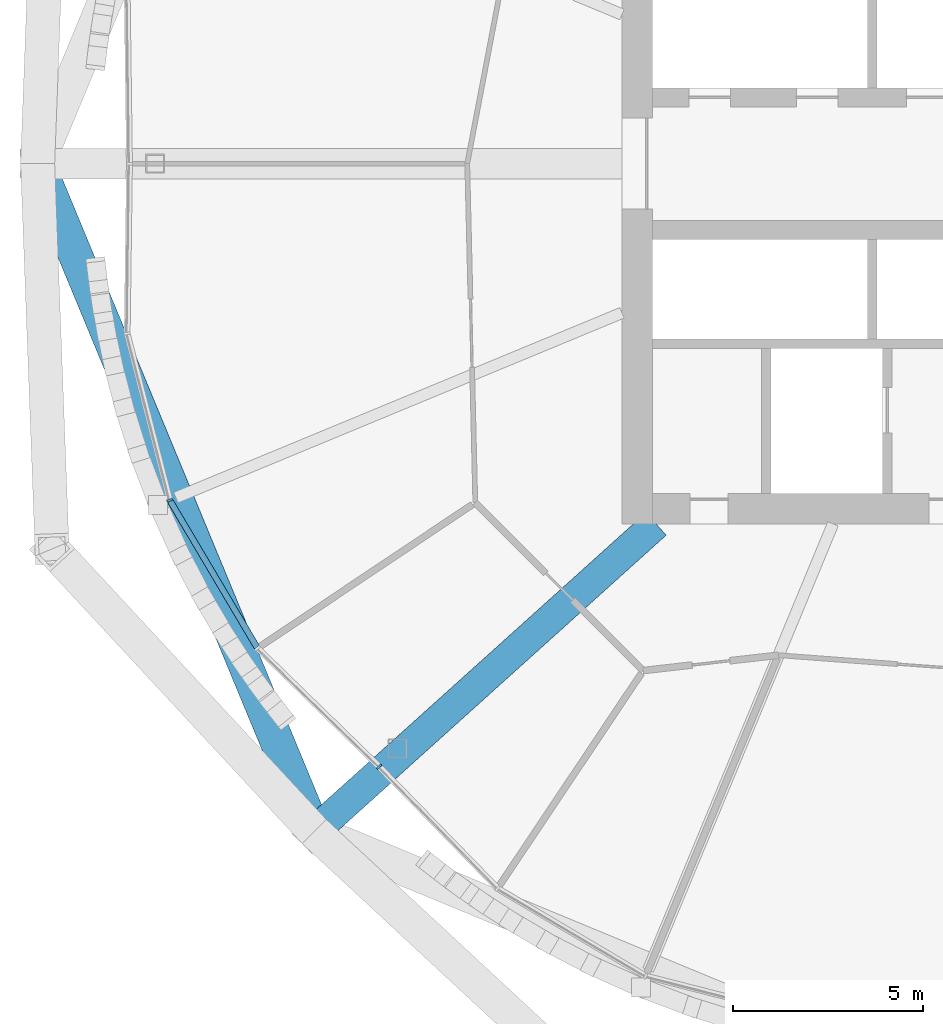
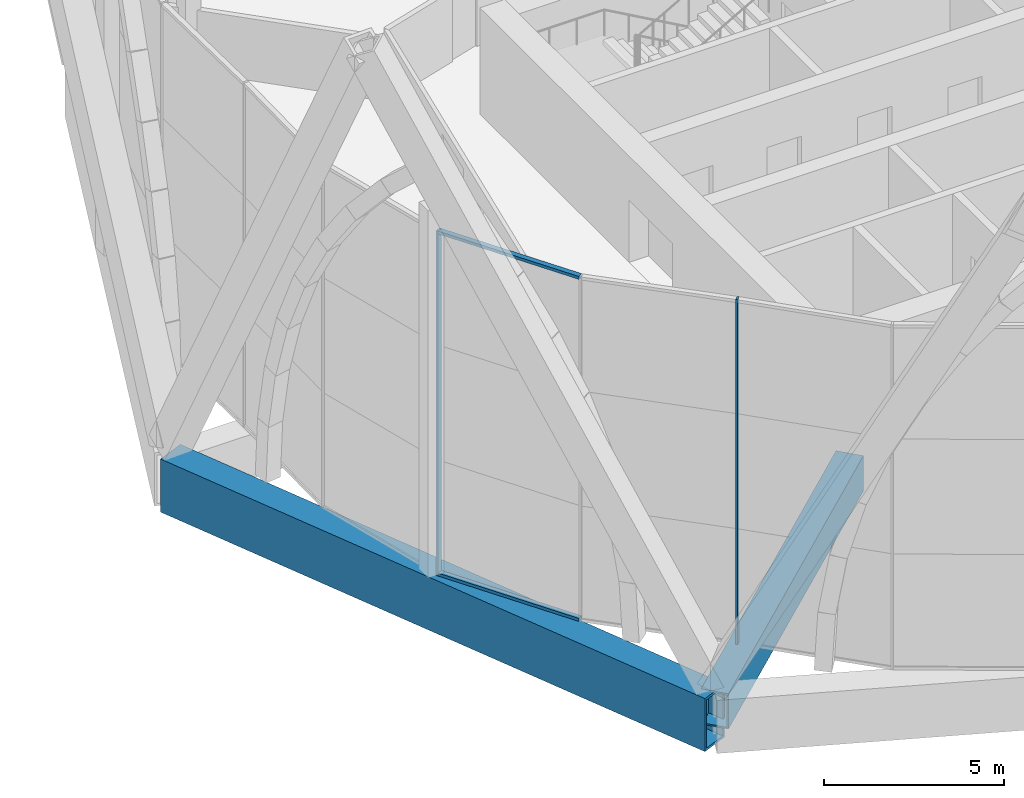
# One storey, part 4 of 37: 4 members, 2 beams, 1 element without a shape of its own.
"""IFC4 building model written with IfcOpenShell, lengths in metres."""

from ifc_helpers import new_model, si_unit, direction, frame, origin, origin_2d, place, context, subcontext, project, spatial, rectangle, hollow_rectangle, extrude, material, material_profile, profile_set, type_object, element, aggregate, save


model = new_model("IFC4")

# Units and contexts
model_context = context("Model", 3, precision=1e-05, world=origin(), true_north=direction((0.0, 1.0)))
body_context = subcontext(model_context, "Body", "Model", "MODEL_VIEW")
ifc_project = project(units=[si_unit("LENGTHUNIT", "METRE"), si_unit("AREAUNIT", "SQUARE_METRE"), si_unit("VOLUMEUNIT", "CUBIC_METRE"), si_unit("PLANEANGLEUNIT", "RADIAN"), si_unit("MASSUNIT", "GRAM", prefix="KILO")], contexts=[model_context])

# Site, building, storey
site_placement = place(None, origin())
site = spatial("IfcSite", under=ifc_project, at=site_placement, CompositionType="ELEMENT")
building_placement = place(site_placement, origin())
building = spatial("IfcBuilding", under=site, at=building_placement, Name="Ogive Gate Towers", CompositionType="ELEMENT")
storey_placement = place(building_placement, frame((0.0, 0.0, 32.39990234375)))
storey = spatial("IfcBuildingStorey", under=building, at=storey_placement, Name="L06", CompositionType="ELEMENT", Elevation=32.39990234375)

# Beam
ifc_material_1 = material(Name="Steel SM460", Category="steel")
ifc_material_profile_1 = material_profile(ifc_material_1, hollow_rectangle(XDim=0.89990234375, YDim=1.800048828125, WallThickness=0.080078125, at=origin_2d()), Name="BX 1800x900x80")
ifc_profile_set_1 = profile_set([ifc_material_profile_1], Name="Steel SM460")
beam_type_1 = type_object("IfcBeamType", Name="Edge girder BX 1800x900x80", PredefinedType="BEAM", material=ifc_profile_set_1)
beam_1_placement = place(storey_placement, frame((-60.909912109375, 0.0, -1.199951171875), z_axis=(0.382680526191, -0.923880736283, 0.0), x_axis=(0.923880736283, 0.382680526191, 0.0)))
element("IfcBeam", 1, at=beam_1_placement, inside=storey, type_object=beam_type_1, Name="T1/L06/SBM024", PredefinedType="BEAM", context=body_context, shape_type="SweptSolid", body=[
    extrude(hollow_rectangle(XDim=0.89990234375, YDim=1.800048828125, WallThickness=0.080078125, at=origin_2d()), origin(), (0.0, 0.0, 1.0), 19.065185546875),
])

# Curtain wall, members
ifc_material_2 = material(Name="Pale metal aluminium", Category="aluminium")
curtain_wall_type = type_object("IfcCurtainWallType", Name="Tower unitised wall, low zone", PredefinedType="NOTDEFINED", material=ifc_material_2)
curtain_wall_placement = place(storey_placement, origin())
curtain_wall = element("IfcCurtainWall", 2, at=curtain_wall_placement, inside=storey, type_object=curtain_wall_type, Name="CW1 T1 ECW05", PredefinedType="NOTDEFINED")
ifc_material_profile_2 = material_profile(ifc_material_2, rectangle(XDim=0.159912109375, YDim=0.06005859375, at=origin_2d()), Name="60 x 160 aluminium box")
ifc_profile_set_2 = profile_set([ifc_material_profile_2], Name="Pale metal aluminium")
member_type_1 = type_object("IfcMemberType", Name="Tower unitised wall, low zone mullion 60 x 160", PredefinedType="MULLION", material=ifc_profile_set_2)
member_1_placement = place(storey_placement, frame((-57.42578125, -8.874755859375, -0.2998046875), z_axis=(0.0, 0.0, 1.0), x_axis=(-0.923879532511, -0.382683432365, 0.0)))
member_1 = element("IfcMember", 3, at=member_1_placement, type_object=member_type_1, Name="CW1 mullion", PredefinedType="MULLION", context=body_context, shape_type="SweptSolid", body=[
    extrude(rectangle(XDim=0.159912109375, YDim=0.06005859375, at=origin_2d()), origin(), (0.0, 0.0, 1.0), 11.699951171875),
])
member_2_placement = place(storey_placement, frame((-51.903076171875, -15.902587890625, -0.2998046875), z_axis=(0.0, 0.0, 1.0), x_axis=(-0.697590403399, -0.716496775349, 0.0)))
member_2 = element("IfcMember", 4, at=member_2_placement, type_object=member_type_1, Name="CW1 mullion", PredefinedType="MULLION", context=body_context, shape_type="SweptSolid", body=[
    extrude(rectangle(XDim=0.159912109375, YDim=0.06005859375, at=origin_2d()), origin(), (0.0, 0.0, 1.0), 11.699951171875),
])
ifc_material_profile_3 = material_profile(ifc_material_2, rectangle(XDim=0.159912109375, YDim=0.10009765625, at=origin_2d()), Name="100 x 160 aluminium box")
ifc_profile_set_3 = profile_set([ifc_material_profile_3], Name="Pale metal aluminium")
member_type_2 = type_object("IfcMemberType", Name="Tower unitised wall, low zone transom 100 x 160", PredefinedType="USERDEFINED", material=ifc_profile_set_3)
member_3_placement = place(storey_placement, frame((-57.41162109375, -8.898193359375, 11.35009765625), z_axis=(0.509842699042, -0.860267645697, 0.0), x_axis=(0.860267645697, 0.509842699042, 0.0)))
member_3 = element("IfcMember", 5, at=member_3_placement, type_object=member_type_2, Name="CW1 transom", ObjectType="TRANSOM", PredefinedType="USERDEFINED", context=body_context, shape_type="SweptSolid", body=[
    extrude(rectangle(XDim=0.159912109375, YDim=0.10009765625, at=origin_2d()), origin(), (0.0, 0.0, 1.0), 4.482666015625),
])
member_4_placement = place(storey_placement, frame((-57.41162109375, -8.898193359375, -0.25), z_axis=(0.509842699042, -0.860267645697, 0.0), x_axis=(0.860267645697, 0.509842699042, 0.0)))
member_4 = element("IfcMember", 6, at=member_4_placement, type_object=member_type_2, Name="CW1 transom", ObjectType="TRANSOM", PredefinedType="USERDEFINED", context=body_context, shape_type="SweptSolid", body=[
    extrude(rectangle(XDim=0.159912109375, YDim=0.10009765625, at=origin_2d()), origin(), (0.0, 0.0, 1.0), 4.482666015625),
])
aggregate(curtain_wall, [member_1, member_3, member_4, member_2])

# Beam
ifc_material_profile_4 = material_profile(ifc_material_1, hollow_rectangle(XDim=0.800048828125, YDim=1.199951171875, WallThickness=0.050048828125, at=origin_2d()), Name="BX 1200x800x50")
ifc_profile_set_4 = profile_set([ifc_material_profile_4], Name="Steel SM460")
beam_type_2 = type_object("IfcBeamType", Name="Transfer radial beam BX 1200x800x50", PredefinedType="BEAM", material=ifc_profile_set_4)
beam_2_placement = place(storey_placement, frame((-44.60009765625, -9.5, -0.89990234375), z_axis=(-0.743233084761, -0.669032571491, 0.0), x_axis=(0.669032571491, -0.743233084761, 0.0)))
element("IfcBeam", 7, at=beam_2_placement, inside=storey, type_object=beam_type_2, Name="T1/L06/SBM001", PredefinedType="BEAM", context=body_context, shape_type="SweptSolid", body=[
    extrude(hollow_rectangle(XDim=0.800048828125, YDim=1.199951171875, WallThickness=0.050048828125, at=origin_2d()), origin(), (0.0, 0.0, 1.0), 12.1279296875),
])

save(model, "model.ifc")
